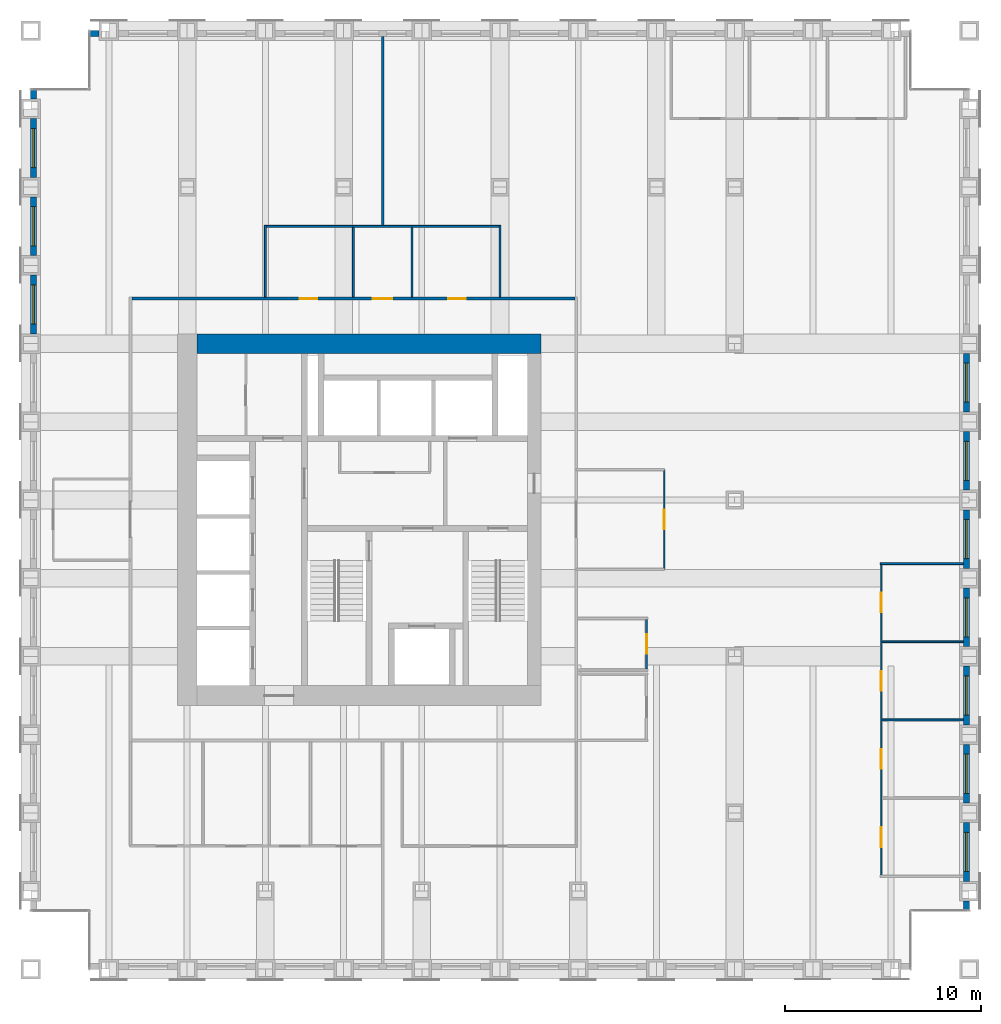
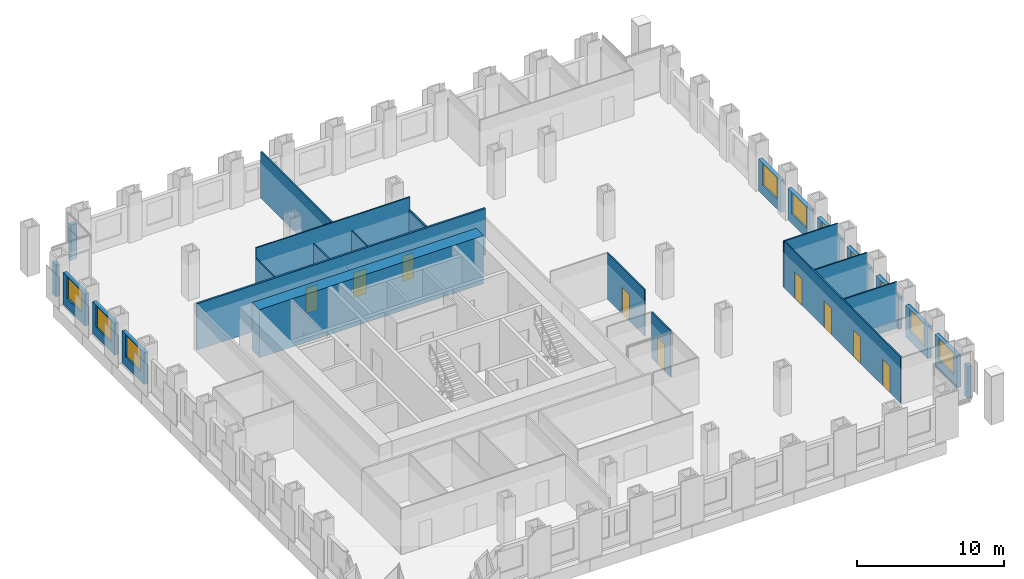
# One storey, part 13 of 16: 27 walls, 10 windows, 9 doors, 19 openings.
"""IFC4 building model written with IfcOpenShell, lengths in metres."""

import ifcopenshell
import ifcopenshell.guid

model = None  # the IFC model being written
_history = None  # IfcOwnerHistory: only IFC2X3 demands one
_inside = {}  # id of a spatial element -> (the spatial element, [elements in it])
_under = {}  # id of a project, library or spatial element -> (it, [spatial elements below it])
_declared = {}  # id of a project -> (the project, [libraries it declares])
_typed = {}  # id of a type object -> (the type object, [elements of that type])
_made_of = {}  # id of a material, layer set ... -> (it, [elements and type objects made of it])


def new_model(schema):
    """Start an empty IFC model of exactly this schema.

    Asked for "IFC4X3", IfcOpenShell would pick the latest addendum, in which some entities
    have other attributes; the version numbers below select the first issue.
    IFC2X3 requires an IfcOwnerHistory on every rooted entity: one is made here for all.
    """
    global model, _history
    if schema == "IFC4X3":
        model = ifcopenshell.file(schema_version=(4, 3, 0, 0))
    else:
        model = ifcopenshell.file(schema=schema)
    _inside.clear()
    _under.clear()
    _declared.clear()
    _typed.clear()
    _made_of.clear()
    _history = None
    if model.schema == "IFC2X3":
        org = make("IfcOrganization", Name="unknown")
        user = make(
            "IfcPersonAndOrganization",
            ThePerson=make("IfcPerson", FamilyName="unknown"),
            TheOrganization=org,
        )
        app = make(
            "IfcApplication",
            ApplicationDeveloper=org,
            Version="unknown",
            ApplicationFullName="unknown",
            ApplicationIdentifier="unknown",
        )
        _history = make(
            "IfcOwnerHistory",
            OwningUser=user,
            OwningApplication=app,
            ChangeAction="ADDED",
            CreationDate=0,
        )
    return model


def make(cls, **values):
    """One entity of the class cls with the attributes given. An attribute that is None is left unset."""
    return model.create_entity(
        cls, **{name: value for name, value in values.items() if value is not None}
    )


def rooted(cls, **values):
    """An entity with a GlobalId (a new one), such as an element, a storey or a relation."""
    return make(cls, GlobalId=ifcopenshell.guid.new(), OwnerHistory=_history, **values)


def si_unit(unit_type, name, prefix=None):
    """IfcSIUnit, for example si_unit("LENGTHUNIT", "METRE", prefix="MILLI")."""
    return make("IfcSIUnit", UnitType=unit_type, Prefix=prefix, Name=name)


def assignment(units):
    """IfcUnitAssignment: the units of a project."""
    return None if units is None else make("IfcUnitAssignment", Units=units)


def point(xyz):
    """IfcCartesianPoint."""
    return None if xyz is None else make("IfcCartesianPoint", Coordinates=xyz)


def direction(xyz):
    """IfcDirection."""
    return None if xyz is None else make("IfcDirection", DirectionRatios=xyz)


def frame(location, z_axis=None, x_axis=None):
    """IfcAxis2Placement3D, a coordinate frame: its origin and axes. An axis left out is left unset."""
    return make(
        "IfcAxis2Placement3D",
        Location=point(location),
        Axis=direction(z_axis),
        RefDirection=direction(x_axis),
    )


def frame_2d(location, x_axis=None):
    """IfcAxis2Placement2D, a coordinate frame in the plane: its origin and x axis."""
    return make(
        "IfcAxis2Placement2D", Location=point(location), RefDirection=direction(x_axis)
    )


def origin():
    """The frame at (0, 0, 0) with its axes left unset."""
    return frame((0.0, 0.0, 0.0))


def place(relative_to, where):
    """IfcLocalPlacement: puts the frame where relative to a parent placement (None: the world)."""
    return make(
        "IfcLocalPlacement", PlacementRelTo=relative_to, RelativePlacement=where
    )


def context(
    kind, dimensions, precision=None, world=None, true_north=None, identifier=None
):
    """IfcGeometricRepresentationContext, for example the 3D "Model" context."""
    return make(
        "IfcGeometricRepresentationContext",
        ContextIdentifier=identifier,
        ContextType=kind,
        CoordinateSpaceDimension=dimensions,
        Precision=precision,
        WorldCoordinateSystem=world,
        TrueNorth=true_north,
    )


def subcontext(parent, identifier, kind, view, scale=None):
    """IfcGeometricRepresentationSubContext, for example "Body" below "Model"."""
    return make(
        "IfcGeometricRepresentationSubContext",
        ContextIdentifier=identifier,
        ContextType=kind,
        ParentContext=parent,
        TargetScale=scale,
        TargetView=view,
    )


def project(units=None, contexts=None):
    """IfcProject with its units and contexts."""
    return rooted(
        "IfcProject",
        Name="project",
        RepresentationContexts=contexts,
        UnitsInContext=assignment(units),
    )


def spatial(cls, under=None, at=None, **own):
    """A site, building, storey or space (cls), placed at a placement, below another one or the project."""
    s = rooted(cls, ObjectPlacement=at, **own)
    if under is not None:
        _under.setdefault(under.id(), (under, []))[1].append(s)
    return s


def profile(cls, at=None, kind="AREA", **sizes):
    """A parametric profile (cls). Its sizes go by their IFC names, for example OverallWidth=200.0."""
    return make(cls, ProfileType=kind, Position=at, **sizes)


def rectangle(**sizes):
    """IfcRectangleProfileDef."""
    return profile("IfcRectangleProfileDef", **sizes)


def extrude(swept, where, along, depth):
    """IfcExtrudedAreaSolid: the profile swept, set in the frame where, extruded along a direction by depth."""
    return make(
        "IfcExtrudedAreaSolid",
        SweptArea=swept,
        Position=where,
        ExtrudedDirection=direction(along),
        Depth=depth,
    )


def shape(context_of_items, identifier, shape_type, items):
    """IfcShapeRepresentation: the items that make up one representation, for example the "Body"."""
    return make(
        "IfcShapeRepresentation",
        ContextOfItems=context_of_items,
        RepresentationIdentifier=identifier,
        RepresentationType=shape_type,
        Items=items,
    )


def material(Name=None, Category=None):
    """IfcMaterial."""
    return make("IfcMaterial", Name=Name, Category=Category)


def layer(
    of_material, thickness, ventilated=None, Name=None, Category=None, Priority=None
):
    """IfcMaterialLayer: one layer of a wall or slab, of a material (None: an air gap)."""
    return make(
        "IfcMaterialLayer",
        Material=of_material,
        LayerThickness=thickness,
        IsVentilated=ventilated,
        Name=Name,
        Category=Category,
        Priority=Priority,
    )


def layer_set(layers, Name=None):
    """IfcMaterialLayerSet."""
    return make("IfcMaterialLayerSet", MaterialLayers=layers, LayerSetName=Name)


def made_of(thing, what):
    """Note that an element or type object is made of a material, layer set ...; save() writes the relation."""
    if what is not None:
        _made_of.setdefault(what.id(), (what, []))[1].append(thing)
    return thing


def type_object(cls, material=None, **own):
    """A type object (cls), such as IfcWallType, which elements share."""
    return made_of(rooted(cls, **own), material)


def element(
    cls,
    number,
    at=None,
    inside=None,
    cuts=None,
    type_object=None,
    material=None,
    context=None,
    identifier="Body",
    shape_type=None,
    held_by="IfcProductDefinitionShape",
    body=None,
    shapes=None,
    **own,
):
    """One element of the class cls, such as IfcWall. Its Tag is "e" and its number.

    at: its placement. inside: the storey or other place that contains it. cuts: it is an
    opening in that element (IfcRelVoidsElement). A single representation is given by context,
    identifier, shape_type and body (its items); several are given by shapes. held_by: the class
    of the entity that holds the representations. save() writes the other relations.
    """
    e = rooted(cls, Tag="e%d" % number, ObjectPlacement=at, **own)
    if body is not None:
        shapes = [shape(context, identifier, shape_type, body)]
    if shapes is not None:
        e.Representation = make(held_by, Representations=shapes)
    if inside is not None:
        _inside.setdefault(inside.id(), (inside, []))[1].append(e)
    if cuts is not None:
        rooted(
            "IfcRelVoidsElement", RelatingBuildingElement=cuts, RelatedOpeningElement=e
        )
    if type_object is not None:
        _typed.setdefault(type_object.id(), (type_object, []))[1].append(e)
    return made_of(e, material)


def fill(opening, filler):
    """IfcRelFillsElement: the door or window that sits in an opening."""
    return rooted(
        "IfcRelFillsElement",
        RelatingOpeningElement=opening,
        RelatedBuildingElement=filler,
    )


def aggregate(whole, parts):
    """IfcRelAggregates: a whole, such as a stair, and the parts it consists of."""
    return rooted("IfcRelAggregates", RelatingObject=whole, RelatedObjects=parts)


def save(model, path):
    """Write the relations noted so far, then the file.

    IfcRelAggregates (storeys below a building ...), IfcRelContainedInSpatialStructure (elements
    in a storey), IfcRelDefinesByType, IfcRelAssociatesMaterial and IfcRelDeclares: one each for
    every whole, place, type object, material and project.
    """
    for whole, parts in _under.values():
        aggregate(whole, parts)
    for where, things in _inside.values():
        rooted(
            "IfcRelContainedInSpatialStructure",
            RelatedElements=things,
            RelatingStructure=where,
        )
    for kind, things in _typed.values():
        rooted("IfcRelDefinesByType", RelatedObjects=things, RelatingType=kind)
    for what, things in _made_of.values():
        rooted("IfcRelAssociatesMaterial", RelatedObjects=things, RelatingMaterial=what)
    for by, libraries in _declared.values():
        rooted("IfcRelDeclares", RelatingContext=by, RelatedDefinitions=libraries)
    model.write(path)


model = new_model("IFC4")

# Units and contexts
model_context = context("Model", 3, precision=1e-05, world=origin(), true_north=direction((0.0, 1.0)))
body_context = subcontext(model_context, "Body", "Model", "MODEL_VIEW")
ifc_project = project(units=[si_unit("LENGTHUNIT", "METRE"), si_unit("AREAUNIT", "SQUARE_METRE"), si_unit("VOLUMEUNIT", "CUBIC_METRE"), si_unit("PLANEANGLEUNIT", "RADIAN"), si_unit("MASSUNIT", "GRAM", prefix="KILO")], contexts=[model_context])

# Site, building, storey
site_placement = place(None, origin())
site = spatial("IfcSite", under=ifc_project, at=site_placement, CompositionType="ELEMENT")
building_placement = place(site_placement, origin())
building = spatial("IfcBuilding", under=site, at=building_placement, Name="Rimbunsela Tower", CompositionType="ELEMENT")
storey_placement = place(building_placement, frame((0.0, 0.0, 133.39990234375)))
storey = spatial("IfcBuildingStorey", under=building, at=storey_placement, Name="L32", CompositionType="ELEMENT", Elevation=133.39990234375)

# Walls
ifc_material_1 = material(Name="Concrete fc' 80 MPa", Category="concrete")
ifc_layer_1 = layer(ifc_material_1, 1.0)
ifc_layer_set_1 = layer_set([ifc_layer_1], Name="Core wall 1000")
wall_type_1 = type_object("IfcWallType", Name="Core wall 1000", PredefinedType="SHEAR", material=ifc_layer_set_1)
wall_1_placement = place(storey_placement, frame((18.5, 36.0, -0.14990234375), z_axis=(0.0, 0.0, 1.0), x_axis=(1.0, 0.0, 0.0)))
element("IfcWall", 1, at=wall_1_placement, inside=storey, type_object=wall_type_1, Name="Core wall north", PredefinedType="SHEAR", context=body_context, shape_type="SweptSolid", body=[
    extrude(rectangle(XDim=17.60009765625, YDim=1.0, at=frame_2d((8.800048828125, 0.0))), origin(), (0.0, 0.0, 1.0), 4.0),
])
ifc_material_2 = material(Name="Gypsum board on steel studs", Category="steel")
ifc_layer_2 = layer(ifc_material_2, 0.10009765625)
ifc_layer_set_2 = layer_set([ifc_layer_2], Name="Office partition 100")
wall_type_2 = type_object("IfcWallType", Name="Office partition 100", PredefinedType="PARTITIONING", material=ifc_layer_set_2)
for number, where, z_axis, x_axis, name in (
    (2, (53.550048828125, 16.75, 0.0), (0.0, 0.0, 1.0), (1.0, 0.0, 0.0), "Office partition"),
    (3, (53.550048828125, 20.75, 0.0), (0.0, 0.0, 1.0), (1.0, 0.0, 0.0), "Office partition"),
):
    element("IfcWall", number, at=place(storey_placement, frame(where, z_axis=z_axis, x_axis=x_axis)), inside=storey, type_object=wall_type_2, Name=name, PredefinedType="PARTITIONING", context=body_context, shape_type="SweptSolid", body=[
        extrude(rectangle(XDim=4.14990234375, YDim=0.10009765625, at=frame_2d((2.074951171875, 0.0))), origin(), (0.0, 0.0, 1.0), 3.85009765625),
    ])
wall_2_placement = place(storey_placement, frame((53.449951171875, 24.75, 0.0), z_axis=(0.0, 0.0, 1.0), x_axis=(1.0, 0.0, 0.0)))
element("IfcWall", 4, at=wall_2_placement, inside=storey, type_object=wall_type_2, Name="Office partition", PredefinedType="PARTITIONING", context=body_context, shape_type="SweptSolid", body=[
    extrude(rectangle(XDim=4.25, YDim=0.10009765625, at=frame_2d((2.125, 0.0))), origin(), (0.0, 0.0, 1.0), 3.85009765625),
])

# Wall, opening, door
wall_3_placement = place(storey_placement, frame((41.5, 19.35009765625, 0.0), z_axis=(0.0, 0.0, 1.0), x_axis=(0.0, 1.0, 0.0)))
wall_3 = element("IfcWall", 5, at=wall_3_placement, inside=storey, type_object=wall_type_2, Name="Office partition", PredefinedType="PARTITIONING", context=body_context, shape_type="SweptSolid", body=[
    extrude(rectangle(XDim=2.5498046875, YDim=0.10009765625, at=frame_2d((1.27490234375, 0.0))), origin(), (0.0, 0.0, 1.0), 3.85009765625),
])
opening_1_placement = place(wall_3_placement, frame((0.77490234375, 0.0, 0.0)))
opening_1 = element("IfcOpeningElement", 6, at=opening_1_placement, cuts=wall_3, Name="Opening D16", PredefinedType="OPENING", context=body_context, shape_type="SweptSolid", body=[
    extrude(rectangle(XDim=1.0, YDim=2.199951171875, at=frame_2d((0.5, 1.10009765625))), frame((0.0, 0.06005859375, 0.0), z_axis=(0.0, -1.0, 0.0), x_axis=(1.0, 0.0, 0.0)), (0.0, 0.0, 1.0), 0.1201171875),
])
ifc_material_3 = material(Name="Timber door", Category="wood")
door_type_1 = type_object("IfcDoorType", Name="Office door 1000", OperationType="SINGLE_SWING_LEFT", PredefinedType="DOOR", material=ifc_material_3)
door_1_placement = place(opening_1_placement, origin())
door_1 = element("IfcDoor", 7, at=door_1_placement, inside=storey, type_object=door_type_1, Name="Office door", OperationType="SINGLE_SWING_LEFT", OverallHeight=2.199951171875, OverallWidth=1.0, PredefinedType="DOOR", context=body_context, shape_type="SweptSolid", body=[
    extrude(rectangle(XDim=1.0, YDim=2.199951171875, at=frame_2d((0.5, 1.10009765625))), frame((0.0, 0.02490234375, 0.0), z_axis=(0.0, -1.0, 0.0), x_axis=(1.0, 0.0, 0.0)), (0.0, 0.0, 1.0), 0.050048828125),
])
fill(opening_1, door_1)

# Wall, openings, doors
wall_4_placement = place(storey_placement, frame((53.5, 8.800048828125, 0.0), z_axis=(0.0, 0.0, 1.0), x_axis=(0.0, 1.0, 0.0)))
wall_4 = element("IfcWall", 8, at=wall_4_placement, inside=storey, type_object=wall_type_2, Name="Office partition", PredefinedType="PARTITIONING", context=body_context, shape_type="SweptSolid", body=[
    extrude(rectangle(XDim=15.89990234375, YDim=0.10009765625, at=frame_2d((7.949951171875, 0.0))), origin(), (0.0, 0.0, 1.0), 3.85009765625),
])
opening_2_placement = place(wall_4_placement, frame((1.449951171875, 0.0, 0.0)))
opening_2 = element("IfcOpeningElement", 9, at=opening_2_placement, cuts=wall_4, Name="Opening D16", PredefinedType="OPENING", context=body_context, shape_type="SweptSolid", body=[
    extrude(rectangle(XDim=1.0, YDim=2.199951171875, at=frame_2d((0.5, 1.10009765625))), frame((0.0, 0.06005859375, 0.0), z_axis=(0.0, -1.0, 0.0), x_axis=(1.0, 0.0, 0.0)), (0.0, 0.0, 1.0), 0.1201171875),
])
opening_3_placement = place(wall_4_placement, frame((5.449951171875, 0.0, 0.0)))
opening_3 = element("IfcOpeningElement", 10, at=opening_3_placement, cuts=wall_4, Name="Opening D16", PredefinedType="OPENING", context=body_context, shape_type="SweptSolid", body=[
    extrude(rectangle(XDim=1.0, YDim=2.199951171875, at=frame_2d((0.5, 1.10009765625))), frame((0.0, 0.06005859375, 0.0), z_axis=(0.0, -1.0, 0.0), x_axis=(1.0, 0.0, 0.0)), (0.0, 0.0, 1.0), 0.1201171875),
])
opening_4_placement = place(wall_4_placement, frame((9.449951171875, 0.0, 0.0)))
opening_4 = element("IfcOpeningElement", 11, at=opening_4_placement, cuts=wall_4, Name="Opening D16", PredefinedType="OPENING", context=body_context, shape_type="SweptSolid", body=[
    extrude(rectangle(XDim=1.0, YDim=2.199951171875, at=frame_2d((0.5, 1.10009765625))), frame((0.0, 0.06005859375, 0.0), z_axis=(0.0, -1.0, 0.0), x_axis=(1.0, 0.0, 0.0)), (0.0, 0.0, 1.0), 0.1201171875),
])
opening_5_placement = place(wall_4_placement, frame((13.449951171875, 0.0, 0.0)))
opening_5 = element("IfcOpeningElement", 12, at=opening_5_placement, cuts=wall_4, Name="Opening D16", PredefinedType="OPENING", context=body_context, shape_type="SweptSolid", body=[
    extrude(rectangle(XDim=1.0, YDim=2.199951171875, at=frame_2d((0.5, 1.10009765625))), frame((0.0, 0.06005859375, 0.0), z_axis=(0.0, -1.0, 0.0), x_axis=(1.0, 0.0, 0.0)), (0.0, 0.0, 1.0), 0.1201171875),
])
door_2_placement = place(opening_2_placement, origin())
door_2 = element("IfcDoor", 13, at=door_2_placement, inside=storey, type_object=door_type_1, Name="Office door", OperationType="SINGLE_SWING_LEFT", OverallHeight=2.199951171875, OverallWidth=1.0, PredefinedType="DOOR", context=body_context, shape_type="SweptSolid", body=[
    extrude(rectangle(XDim=1.0, YDim=2.199951171875, at=frame_2d((0.5, 1.10009765625))), frame((0.0, 0.02490234375, 0.0), z_axis=(0.0, -1.0, 0.0), x_axis=(1.0, 0.0, 0.0)), (0.0, 0.0, 1.0), 0.050048828125),
])
fill(opening_2, door_2)
door_3_placement = place(opening_3_placement, origin())
door_3 = element("IfcDoor", 14, at=door_3_placement, inside=storey, type_object=door_type_1, Name="Office door", OperationType="SINGLE_SWING_LEFT", OverallHeight=2.199951171875, OverallWidth=1.0, PredefinedType="DOOR", context=body_context, shape_type="SweptSolid", body=[
    extrude(rectangle(XDim=1.0, YDim=2.199951171875, at=frame_2d((0.5, 1.10009765625))), frame((0.0, 0.02490234375, 0.0), z_axis=(0.0, -1.0, 0.0), x_axis=(1.0, 0.0, 0.0)), (0.0, 0.0, 1.0), 0.050048828125),
])
fill(opening_3, door_3)
door_4_placement = place(opening_4_placement, origin())
door_4 = element("IfcDoor", 15, at=door_4_placement, inside=storey, type_object=door_type_1, Name="Office door", OperationType="SINGLE_SWING_LEFT", OverallHeight=2.199951171875, OverallWidth=1.0, PredefinedType="DOOR", context=body_context, shape_type="SweptSolid", body=[
    extrude(rectangle(XDim=1.0, YDim=2.199951171875, at=frame_2d((0.5, 1.10009765625))), frame((0.0, 0.02490234375, 0.0), z_axis=(0.0, -1.0, 0.0), x_axis=(1.0, 0.0, 0.0)), (0.0, 0.0, 1.0), 0.050048828125),
])
fill(opening_4, door_4)
door_5_placement = place(opening_5_placement, origin())
door_5 = element("IfcDoor", 16, at=door_5_placement, inside=storey, type_object=door_type_1, Name="Office door", OperationType="SINGLE_SWING_LEFT", OverallHeight=2.199951171875, OverallWidth=1.0, PredefinedType="DOOR", context=body_context, shape_type="SweptSolid", body=[
    extrude(rectangle(XDim=1.0, YDim=2.199951171875, at=frame_2d((0.5, 1.10009765625))), frame((0.0, 0.02490234375, 0.0), z_axis=(0.0, -1.0, 0.0), x_axis=(1.0, 0.0, 0.0)), (0.0, 0.0, 1.0), 0.050048828125),
])
fill(opening_5, door_5)

# Wall, opening, door
wall_5_placement = place(storey_placement, frame((42.39990234375, 24.449951171875, 0.0), z_axis=(0.0, 0.0, 1.0), x_axis=(0.0, 1.0, 0.0)))
wall_5 = element("IfcWall", 17, at=wall_5_placement, inside=storey, type_object=wall_type_2, Name="Office partition", PredefinedType="PARTITIONING", context=body_context, shape_type="SweptSolid", body=[
    extrude(rectangle(XDim=5.10009765625, YDim=0.10009765625, at=frame_2d((2.550048828125, 0.0))), origin(), (0.0, 0.0, 1.0), 3.85009765625),
])
opening_6_placement = place(wall_5_placement, frame((2.050048828125, 0.0, 0.0)))
opening_6 = element("IfcOpeningElement", 18, at=opening_6_placement, cuts=wall_5, Name="Opening D17", PredefinedType="OPENING", context=body_context, shape_type="SweptSolid", body=[
    extrude(rectangle(XDim=1.0, YDim=2.199951171875, at=frame_2d((0.5, 1.10009765625))), frame((0.0, 0.06005859375, 0.0), z_axis=(0.0, -1.0, 0.0), x_axis=(1.0, 0.0, 0.0)), (0.0, 0.0, 1.0), 0.1201171875),
])
ifc_material_4 = material(Name="Glazed aluminium door", Category="aluminium")
door_type_2 = type_object("IfcDoorType", Name="Meeting room door 1000 glazed", OperationType="SINGLE_SWING_RIGHT", PredefinedType="DOOR", material=ifc_material_4)
door_6_placement = place(opening_6_placement, origin())
door_6 = element("IfcDoor", 19, at=door_6_placement, inside=storey, type_object=door_type_2, Name="Reception door", OperationType="SINGLE_SWING_RIGHT", OverallHeight=2.199951171875, OverallWidth=1.0, PredefinedType="DOOR", context=body_context, shape_type="SweptSolid", body=[
    extrude(rectangle(XDim=1.0, YDim=2.199951171875, at=frame_2d((0.5, 1.10009765625))), frame((0.0, 0.02490234375, 0.0), z_axis=(0.0, -1.0, 0.0), x_axis=(1.0, 0.0, 0.0)), (0.0, 0.0, 1.0), 0.050048828125),
])
fill(opening_6, door_6)

# Wall
ifc_material_5 = material(Name="Precast concrete fc' 35 MPa", Category="concrete")
ifc_layer_3 = layer(ifc_material_5, 0.300048828125)
ifc_layer_set_3 = layer_set([ifc_layer_3], Name="Precast concrete fc' 35 MPa")
wall_type_3 = type_object("IfcWallType", Name="Precast facade panel 300", PredefinedType="ELEMENTEDWALL", material=ifc_layer_set_3)
wall_6_placement = place(storey_placement, frame((57.85009765625, 7.030029296875, 0.0), z_axis=(0.0, 0.0, 1.0), x_axis=(0.0, 1.0, 0.0)))
element("IfcWall", 20, at=wall_6_placement, inside=storey, type_object=wall_type_3, Name="Facade panel E L32", PredefinedType="ELEMENTEDWALL", context=body_context, shape_type="SweptSolid", body=[
    extrude(rectangle(XDim=0.469970703125, YDim=0.300048828125, at=frame_2d((0.23486328125, 0.0))), origin(), (0.0, 0.0, 1.0), 2.650146484375),
])

# Wall, opening, window
wall_7_placement = place(storey_placement, frame((57.85009765625, 8.5, 0.0), z_axis=(0.0, 0.0, 1.0), x_axis=(0.0, 1.0, 0.0)))
wall_7 = element("IfcWall", 21, at=wall_7_placement, inside=storey, type_object=wall_type_3, Name="Facade panel E L32", PredefinedType="ELEMENTEDWALL", context=body_context, shape_type="SweptSolid", body=[
    extrude(rectangle(XDim=3.0, YDim=0.300048828125, at=frame_2d((1.5, 0.0))), origin(), (0.0, 0.0, 1.0), 2.650146484375),
])
opening_7_placement = place(wall_7_placement, frame((0.5, 0.0, 0.800048828125)))
opening_7 = element("IfcOpeningElement", 22, at=opening_7_placement, cuts=wall_7, Name="Opening W7", PredefinedType="OPENING", context=body_context, shape_type="SweptSolid", body=[
    extrude(rectangle(XDim=2.0, YDim=1.800048828125, at=frame_2d((1.0, 0.89990234375))), frame((0.0, 0.159912109375, 0.0), z_axis=(0.0, -1.0, 0.0), x_axis=(1.0, 0.0, 0.0)), (0.0, 0.0, 1.0), 0.320068359375),
])
ifc_material_6 = material(Name="Clear glass in aluminium frame", Category="aluminium")
window_type = type_object("IfcWindowType", Name="Window W7 2000x1800", PartitioningType="DOUBLE_PANEL_VERTICAL", PredefinedType="WINDOW", material=ifc_material_6)
window_1_placement = place(opening_7_placement, origin())
window_1 = element("IfcWindow", 23, at=window_1_placement, inside=storey, type_object=window_type, Name="Window L32", OverallHeight=1.800048828125, OverallWidth=2.0, PartitioningType="SINGLE_PANEL", PredefinedType="WINDOW", context=body_context, shape_type="SweptSolid", body=[
    extrude(rectangle(XDim=2.0, YDim=1.800048828125, at=frame_2d((1.0, 0.89990234375))), frame((0.0, 0.030029296875, 0.0), z_axis=(0.0, -1.0, 0.0), x_axis=(1.0, 0.0, 0.0)), (0.0, 0.0, 1.0), 0.06005859375),
])
fill(opening_7, window_1)

wall_8_placement = place(storey_placement, frame((57.85009765625, 12.5, 0.0), z_axis=(0.0, 0.0, 1.0), x_axis=(0.0, 1.0, 0.0)))
wall_8 = element("IfcWall", 24, at=wall_8_placement, inside=storey, type_object=wall_type_3, Name="Facade panel E L32", PredefinedType="ELEMENTEDWALL", context=body_context, shape_type="SweptSolid", body=[
    extrude(rectangle(XDim=3.0, YDim=0.300048828125, at=frame_2d((1.5, 0.0))), origin(), (0.0, 0.0, 1.0), 2.650146484375),
])
opening_8_placement = place(wall_8_placement, frame((0.5, 0.0, 0.800048828125)))
opening_8 = element("IfcOpeningElement", 25, at=opening_8_placement, cuts=wall_8, Name="Opening W7", PredefinedType="OPENING", context=body_context, shape_type="SweptSolid", body=[
    extrude(rectangle(XDim=2.0, YDim=1.800048828125, at=frame_2d((1.0, 0.89990234375))), frame((0.0, 0.159912109375, 0.0), z_axis=(0.0, -1.0, 0.0), x_axis=(1.0, 0.0, 0.0)), (0.0, 0.0, 1.0), 0.320068359375),
])
window_2_placement = place(opening_8_placement, origin())
window_2 = element("IfcWindow", 26, at=window_2_placement, inside=storey, type_object=window_type, Name="Window L32", OverallHeight=1.800048828125, OverallWidth=2.0, PartitioningType="SINGLE_PANEL", PredefinedType="WINDOW", context=body_context, shape_type="SweptSolid", body=[
    extrude(rectangle(XDim=2.0, YDim=1.800048828125, at=frame_2d((1.0, 0.89990234375))), frame((0.0, 0.030029296875, 0.0), z_axis=(0.0, -1.0, 0.0), x_axis=(1.0, 0.0, 0.0)), (0.0, 0.0, 1.0), 0.06005859375),
])
fill(opening_8, window_2)

wall_9_placement = place(storey_placement, frame((57.85009765625, 16.5, 0.0), z_axis=(0.0, 0.0, 1.0), x_axis=(0.0, 1.0, 0.0)))
wall_9 = element("IfcWall", 27, at=wall_9_placement, inside=storey, type_object=wall_type_3, Name="Facade panel E L32", PredefinedType="ELEMENTEDWALL", context=body_context, shape_type="SweptSolid", body=[
    extrude(rectangle(XDim=3.0, YDim=0.300048828125, at=frame_2d((1.5, 0.0))), origin(), (0.0, 0.0, 1.0), 2.650146484375),
])
opening_9_placement = place(wall_9_placement, frame((0.5, 0.0, 0.800048828125)))
opening_9 = element("IfcOpeningElement", 28, at=opening_9_placement, cuts=wall_9, Name="Opening W7", PredefinedType="OPENING", context=body_context, shape_type="SweptSolid", body=[
    extrude(rectangle(XDim=2.0, YDim=1.800048828125, at=frame_2d((1.0, 0.89990234375))), frame((0.0, 0.159912109375, 0.0), z_axis=(0.0, -1.0, 0.0), x_axis=(1.0, 0.0, 0.0)), (0.0, 0.0, 1.0), 0.320068359375),
])
window_3_placement = place(opening_9_placement, origin())
window_3 = element("IfcWindow", 29, at=window_3_placement, inside=storey, type_object=window_type, Name="Window L32", OverallHeight=1.800048828125, OverallWidth=2.0, PartitioningType="SINGLE_PANEL", PredefinedType="WINDOW", context=body_context, shape_type="SweptSolid", body=[
    extrude(rectangle(XDim=2.0, YDim=1.800048828125, at=frame_2d((1.0, 0.89990234375))), frame((0.0, 0.030029296875, 0.0), z_axis=(0.0, -1.0, 0.0), x_axis=(1.0, 0.0, 0.0)), (0.0, 0.0, 1.0), 0.06005859375),
])
fill(opening_9, window_3)

wall_10_placement = place(storey_placement, frame((57.85009765625, 20.5, 0.0), z_axis=(0.0, 0.0, 1.0), x_axis=(0.0, 1.0, 0.0)))
wall_10 = element("IfcWall", 30, at=wall_10_placement, inside=storey, type_object=wall_type_3, Name="Facade panel E L32", PredefinedType="ELEMENTEDWALL", context=body_context, shape_type="SweptSolid", body=[
    extrude(rectangle(XDim=3.0, YDim=0.300048828125, at=frame_2d((1.5, 0.0))), origin(), (0.0, 0.0, 1.0), 2.650146484375),
])
opening_10_placement = place(wall_10_placement, frame((0.5, 0.0, 0.800048828125)))
opening_10 = element("IfcOpeningElement", 31, at=opening_10_placement, cuts=wall_10, Name="Opening W7", PredefinedType="OPENING", context=body_context, shape_type="SweptSolid", body=[
    extrude(rectangle(XDim=2.0, YDim=1.800048828125, at=frame_2d((1.0, 0.89990234375))), frame((0.0, 0.159912109375, 0.0), z_axis=(0.0, -1.0, 0.0), x_axis=(1.0, 0.0, 0.0)), (0.0, 0.0, 1.0), 0.320068359375),
])
window_4_placement = place(opening_10_placement, origin())
window_4 = element("IfcWindow", 32, at=window_4_placement, inside=storey, type_object=window_type, Name="Window L32", OverallHeight=1.800048828125, OverallWidth=2.0, PartitioningType="SINGLE_PANEL", PredefinedType="WINDOW", context=body_context, shape_type="SweptSolid", body=[
    extrude(rectangle(XDim=2.0, YDim=1.800048828125, at=frame_2d((1.0, 0.89990234375))), frame((0.0, 0.030029296875, 0.0), z_axis=(0.0, -1.0, 0.0), x_axis=(1.0, 0.0, 0.0)), (0.0, 0.0, 1.0), 0.06005859375),
])
fill(opening_10, window_4)

wall_11_placement = place(storey_placement, frame((57.85009765625, 24.5, 0.0), z_axis=(0.0, 0.0, 1.0), x_axis=(0.0, 1.0, 0.0)))
wall_11 = element("IfcWall", 33, at=wall_11_placement, inside=storey, type_object=wall_type_3, Name="Facade panel E L32", PredefinedType="ELEMENTEDWALL", context=body_context, shape_type="SweptSolid", body=[
    extrude(rectangle(XDim=3.0, YDim=0.300048828125, at=frame_2d((1.5, 0.0))), origin(), (0.0, 0.0, 1.0), 2.650146484375),
])
opening_11_placement = place(wall_11_placement, frame((0.5, 0.0, 0.800048828125)))
opening_11 = element("IfcOpeningElement", 34, at=opening_11_placement, cuts=wall_11, Name="Opening W7", PredefinedType="OPENING", context=body_context, shape_type="SweptSolid", body=[
    extrude(rectangle(XDim=2.0, YDim=1.800048828125, at=frame_2d((1.0, 0.89990234375))), frame((0.0, 0.159912109375, 0.0), z_axis=(0.0, -1.0, 0.0), x_axis=(1.0, 0.0, 0.0)), (0.0, 0.0, 1.0), 0.320068359375),
])
window_5_placement = place(opening_11_placement, origin())
window_5 = element("IfcWindow", 35, at=window_5_placement, inside=storey, type_object=window_type, Name="Window L32", OverallHeight=1.800048828125, OverallWidth=2.0, PartitioningType="SINGLE_PANEL", PredefinedType="WINDOW", context=body_context, shape_type="SweptSolid", body=[
    extrude(rectangle(XDim=2.0, YDim=1.800048828125, at=frame_2d((1.0, 0.89990234375))), frame((0.0, 0.030029296875, 0.0), z_axis=(0.0, -1.0, 0.0), x_axis=(1.0, 0.0, 0.0)), (0.0, 0.0, 1.0), 0.06005859375),
])
fill(opening_11, window_5)

wall_12_placement = place(storey_placement, frame((57.85009765625, 28.5, 0.0), z_axis=(0.0, 0.0, 1.0), x_axis=(0.0, 1.0, 0.0)))
wall_12 = element("IfcWall", 36, at=wall_12_placement, inside=storey, type_object=wall_type_3, Name="Facade panel E L32", PredefinedType="ELEMENTEDWALL", context=body_context, shape_type="SweptSolid", body=[
    extrude(rectangle(XDim=3.0, YDim=0.300048828125, at=frame_2d((1.5, 0.0))), origin(), (0.0, 0.0, 1.0), 2.650146484375),
])
opening_12_placement = place(wall_12_placement, frame((0.5, 0.0, 0.800048828125)))
opening_12 = element("IfcOpeningElement", 37, at=opening_12_placement, cuts=wall_12, Name="Opening W7", PredefinedType="OPENING", context=body_context, shape_type="SweptSolid", body=[
    extrude(rectangle(XDim=2.0, YDim=1.800048828125, at=frame_2d((1.0, 0.89990234375))), frame((0.0, 0.159912109375, 0.0), z_axis=(0.0, -1.0, 0.0), x_axis=(1.0, 0.0, 0.0)), (0.0, 0.0, 1.0), 0.320068359375),
])
window_6_placement = place(opening_12_placement, origin())
window_6 = element("IfcWindow", 38, at=window_6_placement, inside=storey, type_object=window_type, Name="Window L32", OverallHeight=1.800048828125, OverallWidth=2.0, PartitioningType="SINGLE_PANEL", PredefinedType="WINDOW", context=body_context, shape_type="SweptSolid", body=[
    extrude(rectangle(XDim=2.0, YDim=1.800048828125, at=frame_2d((1.0, 0.89990234375))), frame((0.0, 0.030029296875, 0.0), z_axis=(0.0, -1.0, 0.0), x_axis=(1.0, 0.0, 0.0)), (0.0, 0.0, 1.0), 0.06005859375),
])
fill(opening_12, window_6)

wall_13_placement = place(storey_placement, frame((57.85009765625, 32.5, 0.0), z_axis=(0.0, 0.0, 1.0), x_axis=(0.0, 1.0, 0.0)))
wall_13 = element("IfcWall", 39, at=wall_13_placement, inside=storey, type_object=wall_type_3, Name="Facade panel E L32", PredefinedType="ELEMENTEDWALL", context=body_context, shape_type="SweptSolid", body=[
    extrude(rectangle(XDim=3.0, YDim=0.300048828125, at=frame_2d((1.5, 0.0))), origin(), (0.0, 0.0, 1.0), 2.650146484375),
])
opening_13_placement = place(wall_13_placement, frame((0.5, 0.0, 0.800048828125)))
opening_13 = element("IfcOpeningElement", 40, at=opening_13_placement, cuts=wall_13, Name="Opening W7", PredefinedType="OPENING", context=body_context, shape_type="SweptSolid", body=[
    extrude(rectangle(XDim=2.0, YDim=1.800048828125, at=frame_2d((1.0, 0.89990234375))), frame((0.0, 0.159912109375, 0.0), z_axis=(0.0, -1.0, 0.0), x_axis=(1.0, 0.0, 0.0)), (0.0, 0.0, 1.0), 0.320068359375),
])
window_7_placement = place(opening_13_placement, origin())
window_7 = element("IfcWindow", 41, at=window_7_placement, inside=storey, type_object=window_type, Name="Window L32", OverallHeight=1.800048828125, OverallWidth=2.0, PartitioningType="SINGLE_PANEL", PredefinedType="WINDOW", context=body_context, shape_type="SweptSolid", body=[
    extrude(rectangle(XDim=2.0, YDim=1.800048828125, at=frame_2d((1.0, 0.89990234375))), frame((0.0, 0.030029296875, 0.0), z_axis=(0.0, -1.0, 0.0), x_axis=(1.0, 0.0, 0.0)), (0.0, 0.0, 1.0), 0.06005859375),
])
fill(opening_13, window_7)

# Wall
wall_14_placement = place(storey_placement, frame((13.5, 51.85009765625, 0.0), z_axis=(0.0, 0.0, 1.0), x_axis=(-1.0, 0.0, 0.0)))
element("IfcWall", 42, at=wall_14_placement, inside=storey, type_object=wall_type_3, Name="Facade panel N L32", PredefinedType="ELEMENTEDWALL", context=body_context, shape_type="SweptSolid", body=[
    extrude(rectangle(XDim=0.469970703125, YDim=0.300048828125, at=frame_2d((0.23486328125, 0.0))), origin(), (0.0, 0.0, 1.0), 2.9501953125),
])

# Wall, opening, window
wall_15_placement = place(storey_placement, frame((10.14990234375, 39.5, 0.0), z_axis=(0.0, 0.0, 1.0), x_axis=(0.0, -1.0, 0.0)))
wall_15 = element("IfcWall", 43, at=wall_15_placement, inside=storey, type_object=wall_type_3, Name="Facade panel W L32", PredefinedType="ELEMENTEDWALL", context=body_context, shape_type="SweptSolid", body=[
    extrude(rectangle(XDim=3.0, YDim=0.300048828125, at=frame_2d((1.5, 0.0))), origin(), (0.0, 0.0, 1.0), 2.650146484375),
])
opening_14_placement = place(wall_15_placement, frame((0.5, 0.0, 0.800048828125)))
opening_14 = element("IfcOpeningElement", 44, at=opening_14_placement, cuts=wall_15, Name="Opening W7", PredefinedType="OPENING", context=body_context, shape_type="SweptSolid", body=[
    extrude(rectangle(XDim=2.0, YDim=1.800048828125, at=frame_2d((1.0, 0.89990234375))), frame((0.0, 0.159912109375, 0.0), z_axis=(0.0, -1.0, 0.0), x_axis=(1.0, 0.0, 0.0)), (0.0, 0.0, 1.0), 0.320068359375),
])
window_8_placement = place(opening_14_placement, origin())
window_8 = element("IfcWindow", 45, at=window_8_placement, inside=storey, type_object=window_type, Name="Window L32", OverallHeight=1.800048828125, OverallWidth=2.0, PartitioningType="SINGLE_PANEL", PredefinedType="WINDOW", context=body_context, shape_type="SweptSolid", body=[
    extrude(rectangle(XDim=2.0, YDim=1.800048828125, at=frame_2d((1.0, 0.89990234375))), frame((0.0, 0.030029296875, 0.0), z_axis=(0.0, -1.0, 0.0), x_axis=(1.0, 0.0, 0.0)), (0.0, 0.0, 1.0), 0.06005859375),
])
fill(opening_14, window_8)

wall_16_placement = place(storey_placement, frame((10.14990234375, 43.5, 0.0), z_axis=(0.0, 0.0, 1.0), x_axis=(0.0, -1.0, 0.0)))
wall_16 = element("IfcWall", 46, at=wall_16_placement, inside=storey, type_object=wall_type_3, Name="Facade panel W L32", PredefinedType="ELEMENTEDWALL", context=body_context, shape_type="SweptSolid", body=[
    extrude(rectangle(XDim=3.0, YDim=0.300048828125, at=frame_2d((1.5, 0.0))), origin(), (0.0, 0.0, 1.0), 2.650146484375),
])
opening_15_placement = place(wall_16_placement, frame((0.5, 0.0, 0.800048828125)))
opening_15 = element("IfcOpeningElement", 47, at=opening_15_placement, cuts=wall_16, Name="Opening W7", PredefinedType="OPENING", context=body_context, shape_type="SweptSolid", body=[
    extrude(rectangle(XDim=2.0, YDim=1.800048828125, at=frame_2d((1.0, 0.89990234375))), frame((0.0, 0.159912109375, 0.0), z_axis=(0.0, -1.0, 0.0), x_axis=(1.0, 0.0, 0.0)), (0.0, 0.0, 1.0), 0.320068359375),
])
window_9_placement = place(opening_15_placement, origin())
window_9 = element("IfcWindow", 48, at=window_9_placement, inside=storey, type_object=window_type, Name="Window L32", OverallHeight=1.800048828125, OverallWidth=2.0, PartitioningType="SINGLE_PANEL", PredefinedType="WINDOW", context=body_context, shape_type="SweptSolid", body=[
    extrude(rectangle(XDim=2.0, YDim=1.800048828125, at=frame_2d((1.0, 0.89990234375))), frame((0.0, 0.030029296875, 0.0), z_axis=(0.0, -1.0, 0.0), x_axis=(1.0, 0.0, 0.0)), (0.0, 0.0, 1.0), 0.06005859375),
])
fill(opening_15, window_9)

wall_17_placement = place(storey_placement, frame((10.14990234375, 47.5, 0.0), z_axis=(0.0, 0.0, 1.0), x_axis=(0.0, -1.0, 0.0)))
wall_17 = element("IfcWall", 49, at=wall_17_placement, inside=storey, type_object=wall_type_3, Name="Facade panel W L32", PredefinedType="ELEMENTEDWALL", context=body_context, shape_type="SweptSolid", body=[
    extrude(rectangle(XDim=3.0, YDim=0.300048828125, at=frame_2d((1.5, 0.0))), origin(), (0.0, 0.0, 1.0), 2.650146484375),
])
opening_16_placement = place(wall_17_placement, frame((0.5, 0.0, 0.800048828125)))
opening_16 = element("IfcOpeningElement", 50, at=opening_16_placement, cuts=wall_17, Name="Opening W7", PredefinedType="OPENING", context=body_context, shape_type="SweptSolid", body=[
    extrude(rectangle(XDim=2.0, YDim=1.800048828125, at=frame_2d((1.0, 0.89990234375))), frame((0.0, 0.159912109375, 0.0), z_axis=(0.0, -1.0, 0.0), x_axis=(1.0, 0.0, 0.0)), (0.0, 0.0, 1.0), 0.320068359375),
])
window_10_placement = place(opening_16_placement, origin())
window_10 = element("IfcWindow", 51, at=window_10_placement, inside=storey, type_object=window_type, Name="Window L32", OverallHeight=1.800048828125, OverallWidth=2.0, PartitioningType="SINGLE_PANEL", PredefinedType="WINDOW", context=body_context, shape_type="SweptSolid", body=[
    extrude(rectangle(XDim=2.0, YDim=1.800048828125, at=frame_2d((1.0, 0.89990234375))), frame((0.0, 0.030029296875, 0.0), z_axis=(0.0, -1.0, 0.0), x_axis=(1.0, 0.0, 0.0)), (0.0, 0.0, 1.0), 0.06005859375),
])
fill(opening_16, window_10)

# Wall
wall_18_placement = place(storey_placement, frame((10.14990234375, 48.969970703125, 0.0), z_axis=(0.0, 0.0, 1.0), x_axis=(0.0, -1.0, 0.0)))
element("IfcWall", 52, at=wall_18_placement, inside=storey, type_object=wall_type_3, Name="Facade panel W L32", PredefinedType="ELEMENTEDWALL", context=body_context, shape_type="SweptSolid", body=[
    extrude(rectangle(XDim=0.469970703125, YDim=0.300048828125, at=frame_2d((0.23486328125, 0.0))), origin(), (0.0, 0.0, 1.0), 2.650146484375),
])

# Wall, openings, doors
ifc_material_7 = material(Name="Fire-rated gypsum board on steel studs, EI 60", Category="steel")
ifc_layer_4 = layer(ifc_material_7, 0.14990234375)
ifc_layer_set_4 = layer_set([ifc_layer_4], Name="Rated corridor wall 150")
wall_type_4 = type_object("IfcWallType", Name="Rated corridor wall 150", PredefinedType="PARTITIONING", material=ifc_layer_set_4)
wall_19_placement = place(storey_placement, frame((15.175048828125, 38.300048828125, 0.0), z_axis=(0.0, 0.0, 1.0), x_axis=(1.0, 0.0, 0.0)))
wall_19 = element("IfcWall", 53, at=wall_19_placement, inside=storey, type_object=wall_type_4, Name="Corridor wall north", PredefinedType="PARTITIONING", context=body_context, shape_type="SweptSolid", body=[
    extrude(rectangle(XDim=22.64990234375, YDim=0.14990234375, at=frame_2d((11.324951171875, 0.0))), origin(), (0.0, 0.0, 1.0), 3.85009765625),
])
opening_17_placement = place(wall_19_placement, frame((8.574951171875, 0.0, 0.0)))
opening_17 = element("IfcOpeningElement", 54, at=opening_17_placement, cuts=wall_19, Name="Opening D04", PredefinedType="OPENING", context=body_context, shape_type="SweptSolid", body=[
    extrude(rectangle(XDim=0.89990234375, YDim=2.10009765625, at=frame_2d((0.449951171875, 1.050048828125))), frame((0.0, 0.0849609375, 0.0), z_axis=(0.0, -1.0, 0.0), x_axis=(1.0, 0.0, 0.0)), (0.0, 0.0, 1.0), 0.169921875),
])
opening_18_placement = place(wall_19_placement, frame((12.324951171875, 0.0, 0.0)))
opening_18 = element("IfcOpeningElement", 55, at=opening_18_placement, cuts=wall_19, Name="Opening D05", PredefinedType="OPENING", context=body_context, shape_type="SweptSolid", body=[
    extrude(rectangle(XDim=1.0, YDim=2.10009765625, at=frame_2d((0.5, 1.050048828125))), frame((0.0, 0.0849609375, 0.0), z_axis=(0.0, -1.0, 0.0), x_axis=(1.0, 0.0, 0.0)), (0.0, 0.0, 1.0), 0.169921875),
])
opening_19_placement = place(wall_19_placement, frame((16.175048828125, 0.0, 0.0)))
opening_19 = element("IfcOpeningElement", 56, at=opening_19_placement, cuts=wall_19, Name="Opening D04", PredefinedType="OPENING", context=body_context, shape_type="SweptSolid", body=[
    extrude(rectangle(XDim=0.89990234375, YDim=2.10009765625, at=frame_2d((0.449951171875, 1.050048828125))), frame((0.0, 0.0849609375, 0.0), z_axis=(0.0, -1.0, 0.0), x_axis=(1.0, 0.0, 0.0)), (0.0, 0.0, 1.0), 0.169921875),
])
ifc_material_8 = material(Name="Timber door", Category="wood")
door_type_3 = type_object("IfcDoorType", Name="Accessible WC door 1000", OperationType="SLIDING_TO_LEFT", PredefinedType="DOOR", material=ifc_material_8)
door_7_placement = place(opening_18_placement, origin())
door_7 = element("IfcDoor", 57, at=door_7_placement, inside=storey, type_object=door_type_3, Name="Accessible WC door", OperationType="SLIDING_TO_LEFT", OverallHeight=2.10009765625, OverallWidth=1.0, PredefinedType="DOOR", context=body_context, shape_type="SweptSolid", body=[
    extrude(rectangle(XDim=1.0, YDim=2.10009765625, at=frame_2d((0.5, 1.050048828125))), frame((0.0, 0.02490234375, 0.0), z_axis=(0.0, -1.0, 0.0), x_axis=(1.0, 0.0, 0.0)), (0.0, 0.0, 1.0), 0.050048828125),
])
fill(opening_18, door_7)
ifc_material_9 = material(Name="Timber door", Category="wood")
door_type_4 = type_object("IfcDoorType", Name="Toilet door 900", OperationType="SINGLE_SWING_LEFT", PredefinedType="DOOR", material=ifc_material_9)
door_8_placement = place(opening_17_placement, origin())
door_8 = element("IfcDoor", 58, at=door_8_placement, inside=storey, type_object=door_type_4, Name="Female WC door", OperationType="SINGLE_SWING_LEFT", OverallHeight=2.10009765625, OverallWidth=0.89990234375, PredefinedType="DOOR", context=body_context, shape_type="SweptSolid", body=[
    extrude(rectangle(XDim=0.89990234375, YDim=2.10009765625, at=frame_2d((0.449951171875, 1.050048828125))), frame((0.0, 0.02490234375, 0.0), z_axis=(0.0, -1.0, 0.0), x_axis=(1.0, 0.0, 0.0)), (0.0, 0.0, 1.0), 0.050048828125),
])
fill(opening_17, door_8)
door_9_placement = place(opening_19_placement, origin())
door_9 = element("IfcDoor", 59, at=door_9_placement, inside=storey, type_object=door_type_4, Name="Male WC door", OperationType="SINGLE_SWING_LEFT", OverallHeight=2.10009765625, OverallWidth=0.89990234375, PredefinedType="DOOR", context=body_context, shape_type="SweptSolid", body=[
    extrude(rectangle(XDim=0.89990234375, YDim=2.10009765625, at=frame_2d((0.449951171875, 1.050048828125))), frame((0.0, 0.02490234375, 0.0), z_axis=(0.0, -1.0, 0.0), x_axis=(1.0, 0.0, 0.0)), (0.0, 0.0, 1.0), 0.050048828125),
])
fill(opening_19, door_9)

# Walls
ifc_material_10 = material(Name="Gypsum board on steel studs", Category="steel")
ifc_layer_5 = layer(ifc_material_10, 0.1201171875)
ifc_layer_set_5 = layer_set([ifc_layer_5], Name="Tenancy partition 120")
wall_type_5 = type_object("IfcWallType", Name="Tenancy partition 120", PredefinedType="PARTITIONING", material=ifc_layer_set_5)
wall_20_placement = place(storey_placement, frame((28.0, 42.050048828125, 0.0), z_axis=(0.0, 0.0, 1.0), x_axis=(0.0, 1.0, 0.0)))
element("IfcWall", 60, at=wall_20_placement, inside=storey, type_object=wall_type_5, Name="Tenancy partition north", PredefinedType="PARTITIONING", context=body_context, shape_type="SweptSolid", body=[
    extrude(rectangle(XDim=9.64990234375, YDim=0.1201171875, at=frame_2d((4.824951171875, 0.0))), origin(), (0.0, 0.0, 1.0), 3.85009765625),
])
ifc_material_11 = material(Name="Concrete blockwork", Category="masonry")
ifc_layer_6 = layer(ifc_material_11, 0.10009765625)
ifc_layer_set_6 = layer_set([ifc_layer_6], Name="Toilet partition 100")
wall_type_6 = type_object("IfcWallType", Name="Toilet partition 100", PredefinedType="PARTITIONING", material=ifc_layer_set_6)
wall_21_placement = place(storey_placement, frame((22.0, 38.375, 0.0), z_axis=(0.0, 0.0, 1.0), x_axis=(0.0, 1.0, 0.0)))
element("IfcWall", 61, at=wall_21_placement, inside=storey, type_object=wall_type_6, Name="Toilet block wall west", PredefinedType="PARTITIONING", context=body_context, shape_type="SweptSolid", body=[
    extrude(rectangle(XDim=3.675048828125, YDim=0.10009765625, at=frame_2d((1.83740234375, 0.0))), origin(), (0.0, 0.0, 1.0), 2.9501953125),
])
wall_22_placement = place(storey_placement, frame((34.0, 38.375, 0.0), z_axis=(0.0, 0.0, 1.0), x_axis=(0.0, 1.0, 0.0)))
element("IfcWall", 62, at=wall_22_placement, inside=storey, type_object=wall_type_6, Name="Toilet block wall east", PredefinedType="PARTITIONING", context=body_context, shape_type="SweptSolid", body=[
    extrude(rectangle(XDim=3.675048828125, YDim=0.10009765625, at=frame_2d((1.83740234375, 0.0))), origin(), (0.0, 0.0, 1.0), 2.85009765625),
])
wall_23_placement = place(storey_placement, frame((21.949951171875, 42.0, 0.0), z_axis=(0.0, 0.0, 1.0), x_axis=(1.0, 0.0, 0.0)))
element("IfcWall", 63, at=wall_23_placement, inside=storey, type_object=wall_type_6, Name="Toilet block wall north", PredefinedType="PARTITIONING", context=body_context, shape_type="SweptSolid", body=[
    extrude(rectangle(XDim=12.10009765625, YDim=0.10009765625, at=frame_2d((6.050048828125, 0.0))), origin(), (0.0, 0.0, 1.0), 3.85009765625),
])
for number, where, z_axis, x_axis, name in (
    (64, (26.5, 38.375, 0.0), (0.0, 0.0, 1.0), (0.0, 1.0, 0.0), "Toilet partition"),
    (65, (29.5, 38.375, 0.0), (0.0, 0.0, 1.0), (0.0, 1.0, 0.0), "Toilet partition"),
):
    element("IfcWall", number, at=place(storey_placement, frame(where, z_axis=z_axis, x_axis=x_axis)), inside=storey, type_object=wall_type_6, Name=name, PredefinedType="PARTITIONING", context=body_context, shape_type="SweptSolid", body=[
        extrude(rectangle(XDim=3.574951171875, YDim=0.10009765625, at=frame_2d((1.78759765625, 0.0))), origin(), (0.0, 0.0, 1.0), 2.650146484375),
    ])

save(model, "model.ifc")
